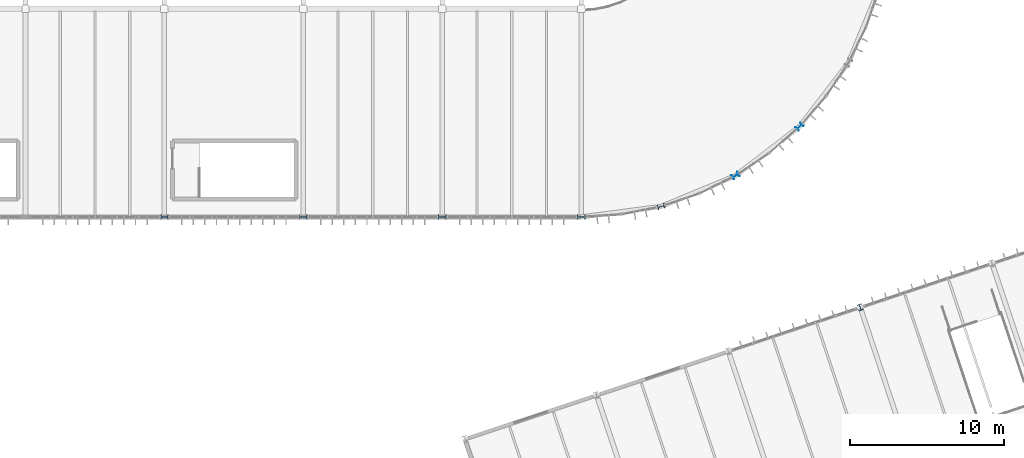
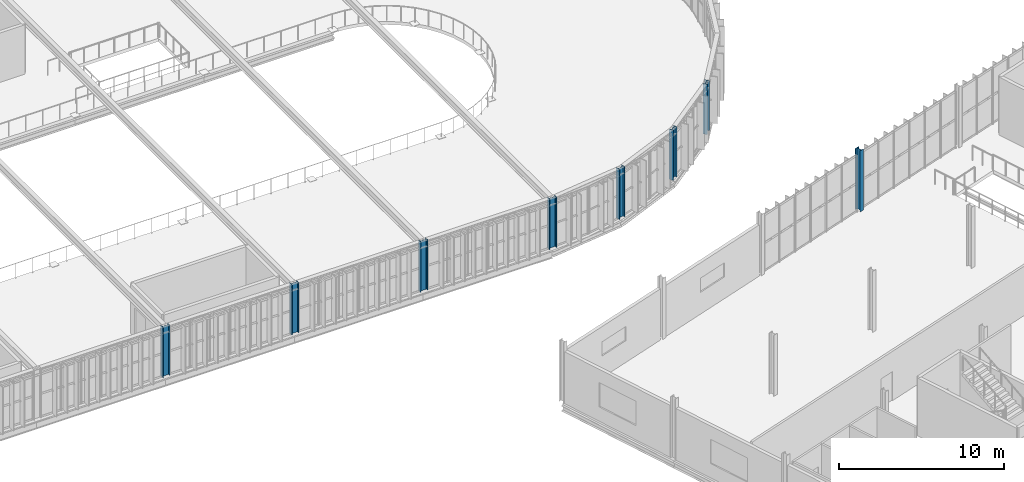
# One storey, part 4 of 152: 8 columns.
"""IFC4 building model written with IfcOpenShell, lengths in metres."""

from ifc_helpers import new_model, si_unit, derived_unit, direction, frame, origin, origin_2d, place, context, subcontext, project, spatial, i_section, extrude, material, material_profile, profile_set, type_object, element, save


model = new_model("IFC4")

# Units and contexts
model_context = context("Model", 3, precision=1e-05, world=origin(), true_north=direction((0.0, 1.0)))
body_context = subcontext(model_context, "Body", "Model", "MODEL_VIEW")
ifc_project = project(units=[si_unit("LENGTHUNIT", "METRE"), si_unit("AREAUNIT", "SQUARE_METRE"), si_unit("VOLUMEUNIT", "CUBIC_METRE"), si_unit("PLANEANGLEUNIT", "RADIAN"), si_unit("MASSUNIT", "GRAM", prefix="KILO"), si_unit("THERMODYNAMICTEMPERATUREUNIT", "KELVIN"), si_unit("TIMEUNIT", "SECOND"), derived_unit("THERMALTRANSMITTANCEUNIT", [(si_unit("MASSUNIT", "GRAM", prefix="KILO"), 1), (si_unit("THERMODYNAMICTEMPERATUREUNIT", "KELVIN"), -1), (si_unit("TIMEUNIT", "SECOND"), -3)])], contexts=[model_context])

# Site, building, storey
site_placement = place(None, origin())
site = spatial("IfcSite", under=ifc_project, at=site_placement, CompositionType="ELEMENT")
building_placement = place(site_placement, origin())
building = spatial("IfcBuilding", under=site, at=building_placement, Name="Cambertide Market Hall", CompositionType="ELEMENT")
storey_placement = place(building_placement, frame((0.0, 0.0, 5.39990234375)))
storey = spatial("IfcBuildingStorey", under=building, at=storey_placement, Name="L02", CompositionType="ELEMENT", Elevation=5.39990234375)

# Columns
ifc_material_1 = material(Name="Steel S355", Category="steel")
ifc_material_profile_1 = material_profile(ifc_material_1, i_section(OverallWidth=0.300048828125, OverallDepth=0.39990234375, WebThickness=0.013427734375, FlangeThickness=0.02392578125, FilletRadius=0.027099609375, at=origin_2d()), Name="HEB 400")
ifc_profile_set_1 = profile_set([ifc_material_profile_1], Name="Steel S355")
column_type_1 = type_object("IfcColumnType", Name="Exterior Steel Column HEB 400", PredefinedType="COLUMN", material=ifc_profile_set_1)
column_placement = place(storey_placement, frame((123.076416015625, 46.152587890625, 0.0), z_axis=(0.0, 0.0, 1.0), x_axis=(0.94868329805, 0.316227766018, 0.0)))
element("IfcColumn", 1, at=column_placement, inside=storey, type_object=column_type_1, Name="Level 2 Column COL-V3-4-4-L02", PredefinedType="COLUMN", context=body_context, shape_type="SweptSolid", body=[
    extrude(i_section(OverallWidth=0.300048828125, OverallDepth=0.39990234375, WebThickness=0.013427734375, FlangeThickness=0.02392578125, FilletRadius=0.027099609375, at=origin_2d()), origin(), (0.0, 0.0, 1.0), 4.5),
])
ifc_material_2 = material(Name="Steel S355", Category="steel")
ifc_material_profile_2 = material_profile(ifc_material_2, i_section(OverallWidth=0.300048828125, OverallDepth=0.449951171875, WebThickness=0.013916015625, FlangeThickness=0.02587890625, FilletRadius=0.027099609375, at=origin_2d()), Name="HEB 450")
ifc_profile_set_2 = profile_set([ifc_material_profile_2], Name="Steel S355")
column_type_2 = type_object("IfcColumnType", Name="Exterior Steel Column HEB 450", PredefinedType="COLUMN", material=ifc_profile_set_2)
for number, where, z_axis, x_axis, name in (
    (2, (110.17626953125, 52.681396484375, 0.0), (0.0, 0.0, 1.0), (0.258819045103, -0.965925826289, 0.0), "Level 2 Column COL-V1-AE02-L02"),
    (3, (115.0, 54.679443359375, 0.0), (0.0, 0.0, 1.0), (0.5, -0.866025403784, 0.0), "Level 2 Column COL-V1-AE04-L02"),
    (4, (119.14208984375, 57.85791015625, 0.0), (0.0, 0.0, 1.0), (0.707106781187, -0.707106781187, 0.0), "Level 2 Column COL-V1-AE06-L02"),
):
    element("IfcColumn", number, at=place(storey_placement, frame(where, z_axis=z_axis, x_axis=x_axis)), inside=storey, type_object=column_type_2, Name=name, PredefinedType="COLUMN", context=body_context, shape_type="SweptSolid", body=[
        extrude(i_section(OverallWidth=0.300048828125, OverallDepth=0.449951171875, WebThickness=0.013916015625, FlangeThickness=0.02587890625, FilletRadius=0.027099609375, at=origin_2d()), origin(), (0.0, 0.0, 1.0), 3.7001953125),
    ])
ifc_material_3 = material(Name="Steel S355", Category="steel")
ifc_material_profile_3 = material_profile(ifc_material_3, i_section(OverallWidth=0.300048828125, OverallDepth=0.5, WebThickness=0.014404296875, FlangeThickness=0.028076171875, FilletRadius=0.027099609375, at=origin_2d()), Name="HEB 500")
ifc_profile_set_3 = profile_set([ifc_material_profile_3], Name="Steel S355")
column_type_3 = type_object("IfcColumnType", Name="Exterior Steel Column HEB 500", PredefinedType="COLUMN", material=ifc_profile_set_3)
for number, where, z_axis, x_axis, name in (
    (5, (78.0, 52.0, 0.0), (0.0, 0.0, 1.0), (0.0, 1.0, 0.0), "Level 2 Column COL-V1-S5-L02"),
    (6, (87.0, 52.0, 0.0), (0.0, 0.0, 1.0), (0.0, 1.0, 0.0), "Level 2 Column COL-V1-S6-L02"),
    (7, (96.0, 52.0, 0.0), (0.0, 0.0, 1.0), (0.0, 1.0, 0.0), "Level 2 Column COL-V1-S7-L02"),
    (8, (105.0, 52.0, 0.0), (0.0, 0.0, 1.0), (0.0, 1.0, 0.0), "Level 2 Column COL-V1-S8-L02"),
):
    element("IfcColumn", number, at=place(storey_placement, frame(where, z_axis=z_axis, x_axis=x_axis)), inside=storey, type_object=column_type_3, Name=name, PredefinedType="COLUMN", context=body_context, shape_type="SweptSolid", body=[
        extrude(i_section(OverallWidth=0.300048828125, OverallDepth=0.5, WebThickness=0.014404296875, FlangeThickness=0.028076171875, FilletRadius=0.027099609375, at=origin_2d()), origin(), (0.0, 0.0, 1.0), 3.7001953125),
    ])

save(model, "model.ifc")
